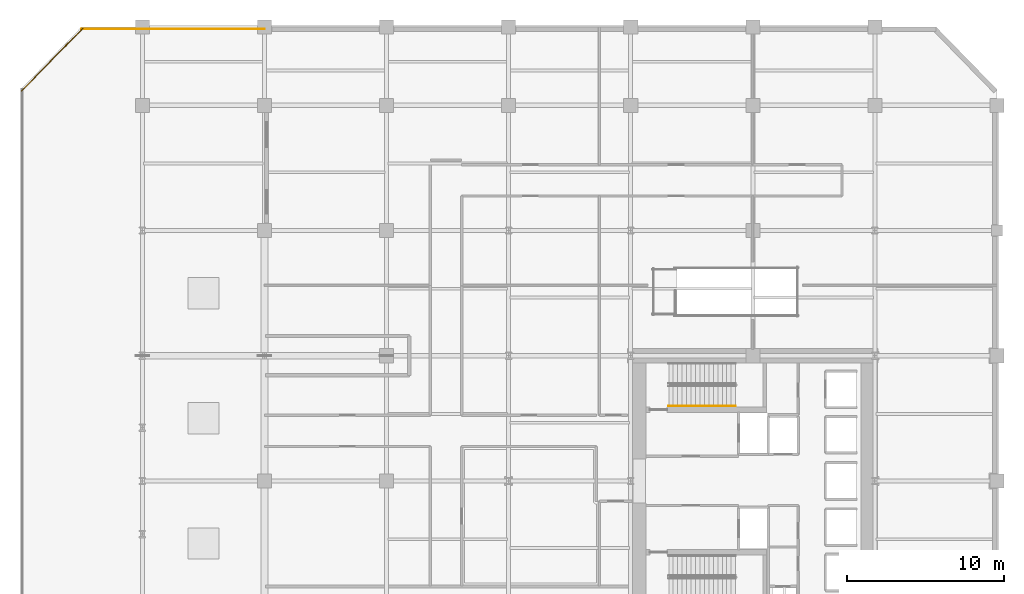
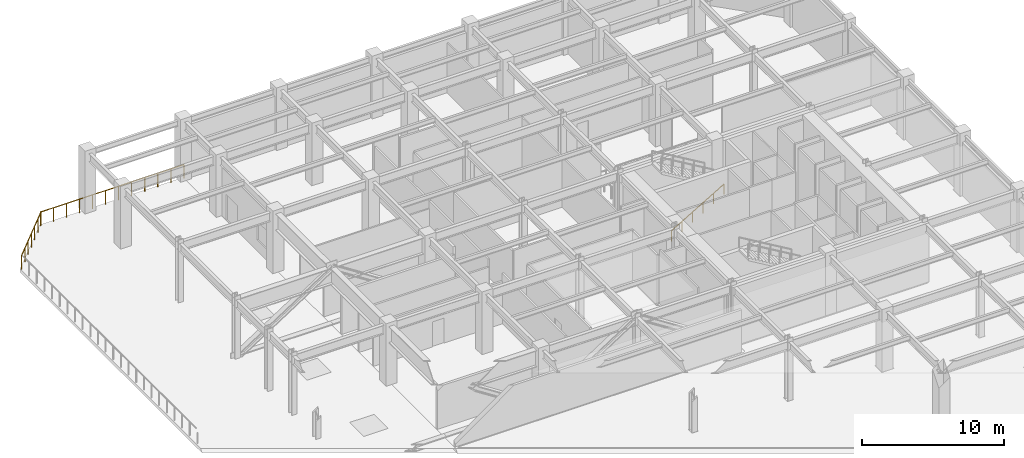
# One storey, part 13 of 14: 3 railings.
"""IFC4 building model written with IfcOpenShell, lengths in metres."""

from ifc_helpers import new_model, si_unit, direction, frame, origin, origin_2d, place, context, subcontext, project, spatial, circle, extrude, material, type_object, element, save


model = new_model("IFC4")

# Units and contexts
model_context = context("Model", 3, precision=1e-05, world=origin(), true_north=direction((0.0, 1.0)))
body_context = subcontext(model_context, "Body", "Model", "MODEL_VIEW")
ifc_project = project(units=[si_unit("LENGTHUNIT", "METRE"), si_unit("AREAUNIT", "SQUARE_METRE"), si_unit("VOLUMEUNIT", "CUBIC_METRE"), si_unit("PLANEANGLEUNIT", "RADIAN"), si_unit("MASSUNIT", "GRAM", prefix="KILO")], contexts=[model_context])

# Site, building, storey
site_placement = place(None, origin())
site = spatial("IfcSite", under=ifc_project, at=site_placement, CompositionType="ELEMENT")
building_placement = place(site_placement, origin())
building = spatial("IfcBuilding", under=site, at=building_placement, Name="Veymaron Broadcast Tower", CompositionType="ELEMENT")
storey_placement = place(building_placement, frame((0.0, 0.0, 27.0)))
storey = spatial("IfcBuildingStorey", under=building, at=storey_placement, Name="L05", CompositionType="ELEMENT", Elevation=27.0)

# Railings
ifc_material_1 = material(Name="Brushed stainless steel AISI 304", Category="steel")
railing_type_1 = type_object("IfcRailingType", Name="RAIL-STAIR-HR", PredefinedType="HANDRAIL", material=ifc_material_1)
railing_1_placement = place(storey_placement, frame((41.429931640625, 28.780029296875, 0.168701171875)))
element("IfcRailing", 1, at=railing_1_placement, inside=storey, type_object=railing_type_1, Name="L05 ST1 stair handrail 1", PredefinedType="HANDRAIL", context=body_context, shape_type="SweptSolid", body=[
    extrude(circle(Radius=0.02392578125, at=origin_2d()), frame((0.0, 0.0, 0.8759765625), z_axis=(0.860483042394, 0.0, 0.50947908078), x_axis=(0.0, 1.0, 0.0)), (0.0, 0.0, 1.0), 4.96826171875),
    extrude(circle(Radius=0.02099609375, at=origin_2d()), origin(), (0.0, 0.0, 1.0), 0.851806640625),
    extrude(circle(Radius=0.02099609375, at=origin_2d()), frame((0.85498046875, 0.0, 0.50634765625)), (0.0, 0.0, 1.0), 0.851806640625),
    extrude(circle(Radius=0.02099609375, at=origin_2d()), frame((1.7099609375, 0.0, 1.012451171875)), (0.0, 0.0, 1.0), 0.851806640625),
    extrude(circle(Radius=0.02099609375, at=origin_2d()), frame((2.565185546875, 0.0, 1.518798828125)), (0.0, 0.0, 1.0), 0.851806640625),
    extrude(circle(Radius=0.02099609375, at=origin_2d()), frame((3.420166015625, 0.0, 2.02490234375)), (0.0, 0.0, 1.0), 0.851806640625),
    extrude(circle(Radius=0.02099609375, at=origin_2d()), frame((4.275146484375, 0.0, 2.53125)), (0.0, 0.0, 1.0), 0.851806640625),
])
ifc_material_2 = material(Name="Laminated structural sentry-glass and stainless steel AISI 316L", Category="steel")
railing_type_2 = type_object("IfcRailingType", Name="RAIL-TERR-1200", PredefinedType="GUARDRAIL", material=ifc_material_2)
railing_2_placement = place(storey_placement, frame((15.60009765625, 52.8798828125, 0.0)))
element("IfcRailing", 2, at=railing_2_placement, inside=storey, type_object=railing_type_2, Name="L05 sky-terrace perimeter guardrail 2", PredefinedType="GUARDRAIL", context=body_context, shape_type="SweptSolid", body=[
    extrude(circle(Radius=0.02392578125, at=origin_2d()), frame((0.0, 0.0, 1.17578125), z_axis=(-1.0, 0.0, 0.0), x_axis=(0.0, -1.0, 0.0)), (0.0, 0.0, 1.0), 11.7001953125),
    extrude(circle(Radius=0.02099609375, at=origin_2d()), origin(), (0.0, 0.0, 1.0), 1.15185546875),
    extrude(circle(Radius=0.02099609375, at=origin_2d()), frame((-1.063720703125, 0.0, 0.0)), (0.0, 0.0, 1.0), 1.15185546875),
    extrude(circle(Radius=0.02099609375, at=origin_2d()), frame((-2.127197265625, 0.0, 0.0)), (0.0, 0.0, 1.0), 1.15185546875),
    extrude(circle(Radius=0.02099609375, at=origin_2d()), frame((-3.19091796875, 0.0, 0.0)), (0.0, 0.0, 1.0), 1.15185546875),
    extrude(circle(Radius=0.02099609375, at=origin_2d()), frame((-4.254638671875, 0.0, 0.0)), (0.0, 0.0, 1.0), 1.15185546875),
    extrude(circle(Radius=0.02099609375, at=origin_2d()), frame((-5.318359375, 0.0, 0.0)), (0.0, 0.0, 1.0), 1.15185546875),
    extrude(circle(Radius=0.02099609375, at=origin_2d()), frame((-6.3818359375, 0.0, 0.0)), (0.0, 0.0, 1.0), 1.15185546875),
    extrude(circle(Radius=0.02099609375, at=origin_2d()), frame((-7.445556640625, 0.0, 0.0)), (0.0, 0.0, 1.0), 1.15185546875),
    extrude(circle(Radius=0.02099609375, at=origin_2d()), frame((-8.50927734375, 0.0, 0.0)), (0.0, 0.0, 1.0), 1.15185546875),
    extrude(circle(Radius=0.02099609375, at=origin_2d()), frame((-9.572998046875, 0.0, 0.0)), (0.0, 0.0, 1.0), 1.15185546875),
    extrude(circle(Radius=0.02099609375, at=origin_2d()), frame((-10.636474609375, 0.0, 0.0)), (0.0, 0.0, 1.0), 1.15185546875),
    extrude(circle(Radius=0.02099609375, at=origin_2d()), frame((-11.7001953125, 0.0, 0.0)), (0.0, 0.0, 1.0), 1.15185546875),
])
railing_3_placement = place(storey_placement, frame((3.98583984375, 52.916259765625, 0.0)))
element("IfcRailing", 3, at=railing_3_placement, inside=storey, type_object=railing_type_2, Name="L05 sky-terrace perimeter guardrail 3", PredefinedType="GUARDRAIL", context=body_context, shape_type="SweptSolid", body=[
    extrude(circle(Radius=0.02392578125, at=origin_2d()), frame((0.0, 0.0, 1.17578125), z_axis=(-0.698091174493, -0.716008877106, 0.0), x_axis=(0.716008877106, -0.698091174493, 0.0)), (0.0, 0.0, 1.0), 5.58642578125),
    extrude(circle(Radius=0.02099609375, at=origin_2d()), origin(), (0.0, 0.0, 1.0), 1.15185546875),
    extrude(circle(Radius=0.02099609375, at=origin_2d()), frame((-0.64990234375, -0.666748046875, 0.0)), (0.0, 0.0, 1.0), 1.15185546875),
    extrude(circle(Radius=0.02099609375, at=origin_2d()), frame((-1.300048828125, -1.333251953125, 0.0)), (0.0, 0.0, 1.0), 1.15185546875),
    extrude(circle(Radius=0.02099609375, at=origin_2d()), frame((-1.949951171875, -2.0, 0.0)), (0.0, 0.0, 1.0), 1.15185546875),
    extrude(circle(Radius=0.02099609375, at=origin_2d()), frame((-2.599853515625, -2.666748046875, 0.0)), (0.0, 0.0, 1.0), 1.15185546875),
    extrude(circle(Radius=0.02099609375, at=origin_2d()), frame((-3.25, -3.333251953125, 0.0)), (0.0, 0.0, 1.0), 1.15185546875),
    extrude(circle(Radius=0.02099609375, at=origin_2d()), frame((-3.89990234375, -4.0, 0.0)), (0.0, 0.0, 1.0), 1.15185546875),
])

save(model, "model.ifc")
